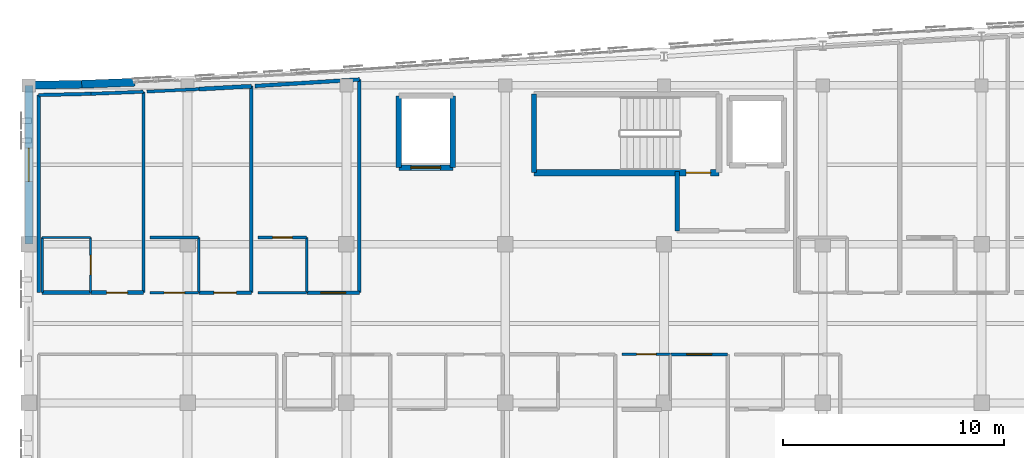
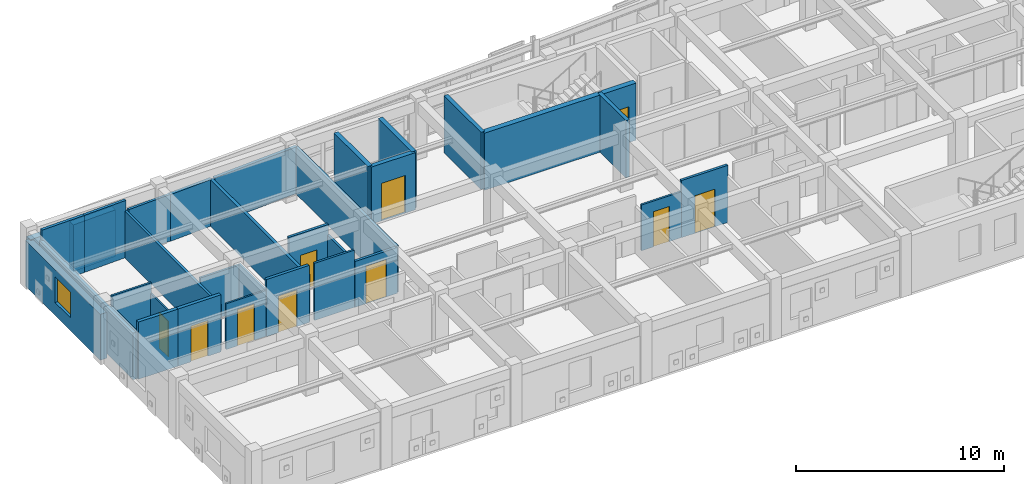
# One storey, part 58 of 73: 33 walls, 10 doors, 1 window, 11 openings.
"""IFC4 building model written with IfcOpenShell, lengths in metres."""

from ifc_helpers import new_model, si_unit, direction, frame, frame_2d, origin, place, context, subcontext, project, spatial, rectangle, extrude, material, layer, layer_set, type_object, element, fill, save


model = new_model("IFC4")

# Units and contexts
model_context = context("Model", 3, precision=1e-05, world=origin(), true_north=direction((0.0, 1.0)))
body_context = subcontext(model_context, "Body", "Model", "MODEL_VIEW")
ifc_project = project(units=[si_unit("LENGTHUNIT", "METRE"), si_unit("AREAUNIT", "SQUARE_METRE"), si_unit("VOLUMEUNIT", "CUBIC_METRE"), si_unit("PLANEANGLEUNIT", "RADIAN"), si_unit("MASSUNIT", "GRAM", prefix="KILO")], contexts=[model_context])

# Site, building, storey
site_placement = place(None, origin())
site = spatial("IfcSite", under=ifc_project, at=site_placement, CompositionType="ELEMENT")
building_placement = place(site_placement, origin())
building = spatial("IfcBuilding", under=site, at=building_placement, Name="Carrowvane Square Congress Hotel", CompositionType="ELEMENT")
storey_placement = place(building_placement, frame((0.0, 0.0, 19.199951171875)))
storey = spatial("IfcBuildingStorey", under=building, at=storey_placement, Name="L04", CompositionType="ELEMENT", Elevation=19.199951171875)

# Wall, opening, window
ifc_material_1 = material(Name="Glazed terracotta rainscreen", Category="masonry")
ifc_layer_1 = layer(ifc_material_1, 0.360107421875)
ifc_layer_set_1 = layer_set([ifc_layer_1], Name="Glazed terracotta rainscreen")
wall_type_1 = type_object("IfcWallType", Name="WL-EXT-TC360", PredefinedType="STANDARD", material=ifc_layer_set_1)
wall_1_placement = place(storey_placement, frame((33.199951171875, 106.199951171875, 0.0), z_axis=(0.0, 0.0, 1.0), x_axis=(0.0, 1.0, 0.0)))
wall_1 = element("IfcWall", 1, at=wall_1_placement, inside=storey, type_object=wall_type_1, Name="L04 exterior facade wall 421", PredefinedType="STANDARD", context=body_context, shape_type="SweptSolid", body=[
    extrude(rectangle(XDim=7.199951171875, YDim=0.360107421875, at=frame_2d((3.60009765625, 0.0))), origin(), (0.0, 0.0, 1.0), 2.68505859375),
])
opening_1_placement = place(wall_1_placement, frame((2.85009765625, 0.0, 0.75)))
opening_1 = element("IfcOpeningElement", 2, at=opening_1_placement, cuts=wall_1, Name="Opening W-15", PredefinedType="OPENING", context=body_context, shape_type="SweptSolid", body=[
    extrude(rectangle(XDim=1.5, YDim=1.5, at=frame_2d((0.75, 0.75))), frame((0.0, 0.18994140625, 0.0), z_axis=(0.0, -1.0, 0.0), x_axis=(1.0, 0.0, 0.0)), (0.0, 0.0, 1.0), 0.380126953125),
])
ifc_material_2 = material(Name="Double-glazed low-E glass", Category="glass")
window_type = type_object("IfcWindowType", Name="WIN-15", PartitioningType="SINGLE_PANEL", PredefinedType="WINDOW", material=ifc_material_2)
window_placement = place(opening_1_placement, origin())
window = element("IfcWindow", 3, at=window_placement, inside=storey, type_object=window_type, Name="L04 facade window 253", OverallHeight=1.5, OverallWidth=1.5, PartitioningType="SINGLE_PANEL", PredefinedType="WINDOW", context=body_context, shape_type="SweptSolid", body=[
    extrude(rectangle(XDim=1.5, YDim=1.5, at=frame_2d((0.75, 0.75))), frame((0.0, 0.030029296875, 0.0), z_axis=(0.0, -1.0, 0.0), x_axis=(1.0, 0.0, 0.0)), (0.0, 0.0, 1.0), 0.06005859375),
])
fill(opening_1, window)

# Walls
wall_2_placement = place(storey_placement, frame((33.199951171875, 113.39990234375, 0.0), z_axis=(0.0, 0.0, 1.0), x_axis=(0.999767568547, 0.021559426766, 0.0)))
element("IfcWall", 4, at=wall_2_placement, inside=storey, type_object=wall_type_1, Name="L04 exterior facade wall 422", PredefinedType="STANDARD", context=body_context, shape_type="SweptSolid", body=[
    extrude(rectangle(XDim=2.400634765625, YDim=0.360107421875, at=frame_2d((1.2001953125, 0.0))), origin(), (0.0, 0.0, 1.0), 2.735107421875),
])
wall_3_placement = place(storey_placement, frame((35.60009765625, 113.45166015625, 0.0), z_axis=(0.0, 0.0, 1.0), x_axis=(0.99930757318, 0.037207179225, 0.0)))
element("IfcWall", 5, at=wall_3_placement, inside=storey, type_object=wall_type_1, Name="L04 exterior facade wall 423", PredefinedType="STANDARD", context=body_context, shape_type="SweptSolid", body=[
    extrude(rectangle(XDim=2.401611328125, YDim=0.360107421875, at=frame_2d((1.20068359375, 0.0))), origin(), (0.0, 0.0, 1.0), 2.735107421875),
])
ifc_material_3 = material(Name="Acoustic gypsum board", Category="gypsum")
ifc_layer_2 = layer(ifc_material_3, 0.155029296875)
ifc_layer_set_2 = layer_set([ifc_layer_2], Name="Acoustic gypsum board")
wall_type_2 = type_object("IfcWallType", Name="WL-FIR-155", PredefinedType="PARTITIONING", material=ifc_layer_set_2)
wall_4_placement = place(storey_placement, frame((33.64990234375, 112.959716796875, 0.0), z_axis=(0.0, 0.0, 1.0), x_axis=(0.999704646558, 0.024302667551, 0.0)))
element("IfcWall", 6, at=wall_4_placement, inside=storey, type_object=wall_type_2, Name="L04 Parkview Guest Bedroom 0407 partition", PredefinedType="PARTITIONING", context=body_context, shape_type="SweptSolid", body=[
    extrude(rectangle(XDim=2.370849609375, YDim=0.155029296875, at=frame_2d((1.185546875, 0.0))), origin(), (0.0, 0.0, 1.0), 3.35009765625),
])

# Wall, opening, door
wall_5_placement = place(storey_placement, frame((43.2900390625, 104.0, 0.0), z_axis=(0.0, 0.0, 1.0), x_axis=(-1.0, 0.0, 0.0)))
wall_5 = element("IfcWall", 7, at=wall_5_placement, inside=storey, type_object=wall_type_2, Name="L04 Parkview Guest Bedroom 0408 partition", PredefinedType="PARTITIONING", context=body_context, shape_type="SweptSolid", body=[
    extrude(rectangle(XDim=2.380126953125, YDim=0.155029296875, at=frame_2d((1.18994140625, 0.0))), origin(), (0.0, 0.0, 1.0), 3.35009765625),
])
opening_2_placement = place(wall_5_placement, frame((0.679931640625, 0.0, 0.0)))
opening_2 = element("IfcOpeningElement", 8, at=opening_2_placement, cuts=wall_5, Name="Opening FD-08", PredefinedType="OPENING", context=body_context, shape_type="SweptSolid", body=[
    extrude(rectangle(XDim=1.02001953125, YDim=2.14990234375, at=frame_2d((0.510009765625, 1.074951171875))), frame((0.0, 0.08740234375, 0.0), z_axis=(0.0, -1.0, 0.0), x_axis=(1.0, 0.0, 0.0)), (0.0, 0.0, 1.0), 0.175048828125),
])
ifc_material_4 = material(Name="European oak timber", Category="wood")
door_type_1 = type_object("IfcDoorType", Name="DR-FD30-1020x2150", OperationType="NOTDEFINED", PredefinedType="DOOR", material=ifc_material_4)
door_1_placement = place(opening_2_placement, origin())
door_1 = element("IfcDoor", 9, at=door_1_placement, inside=storey, type_object=door_type_1, Name="L04 Parkview Guest Bedroom 0408 entrance door", OperationType="SINGLE_SWING_RIGHT", OverallHeight=2.14990234375, OverallWidth=1.02001953125, PredefinedType="DOOR", context=body_context, shape_type="SweptSolid", body=[
    extrude(rectangle(XDim=1.02001953125, YDim=2.14990234375, at=frame_2d((0.510009765625, 1.074951171875))), frame((0.0, 0.02490234375, 0.0), z_axis=(0.0, -1.0, 0.0), x_axis=(1.0, 0.0, 0.0)), (0.0, 0.0, 1.0), 0.050048828125),
])
fill(opening_2, door_1)

# Walls
wall_6_placement = place(storey_placement, frame((48.18994140625, 113.664794921875, 0.0), z_axis=(0.0, 0.0, 1.0), x_axis=(0.0, -1.0, 0.0)))
element("IfcWall", 10, at=wall_6_placement, inside=storey, type_object=wall_type_2, Name="L04 Parkview Guest Bedroom 0409 partition", PredefinedType="PARTITIONING", context=body_context, shape_type="SweptSolid", body=[
    extrude(rectangle(XDim=9.664794921875, YDim=0.155029296875, at=frame_2d((4.83251953125, 0.0))), origin(), (0.0, 0.0, 1.0), 2.735107421875),
])
ifc_material_5 = material(Name="Acoustic gypsum board", Category="gypsum")
ifc_layer_3 = layer(ifc_material_5, 0.169921875)
ifc_layer_set_3 = layer_set([ifc_layer_3], Name="Acoustic gypsum board")
wall_type_3 = type_object("IfcWallType", Name="WL-FIR-170", PredefinedType="PARTITIONING", material=ifc_layer_set_3)
wall_7_placement = place(storey_placement, frame((33.64990234375, 104.0, 0.0), z_axis=(0.0, 0.0, 1.0), x_axis=(0.0, 1.0, 0.0)))
element("IfcWall", 11, at=wall_7_placement, inside=storey, type_object=wall_type_3, Name="L04 Parkview Guest Bedroom 0407 partition", PredefinedType="PARTITIONING", context=body_context, shape_type="SweptSolid", body=[
    extrude(rectangle(XDim=8.959716796875, YDim=0.169921875, at=frame_2d((4.47998046875, 0.0))), origin(), (0.0, 0.0, 1.0), 2.735107421875),
])
wall_8_placement = place(storey_placement, frame((43.2900390625, 113.3603515625, 0.0), z_axis=(0.0, 0.0, 1.0), x_axis=(0.0, -1.0, 0.0)))
element("IfcWall", 12, at=wall_8_placement, inside=storey, type_object=wall_type_3, Name="L04 Parkview Guest Bedroom 0408 partition", PredefinedType="PARTITIONING", context=body_context, shape_type="SweptSolid", body=[
    extrude(rectangle(XDim=9.3603515625, YDim=0.169921875, at=frame_2d((4.68017578125, 0.0))), origin(), (0.0, 0.0, 1.0), 2.735107421875),
])
wall_9_placement = place(storey_placement, frame((43.449951171875, 113.369873046875, 0.0), z_axis=(0.0, 0.0, 1.0), x_axis=(0.998069942066, 0.062099844966, 0.0)))
element("IfcWall", 13, at=wall_9_placement, inside=storey, type_object=wall_type_3, Name="L04 Parkview Guest Bedroom 0409 partition", PredefinedType="PARTITIONING", context=body_context, shape_type="SweptSolid", body=[
    extrude(rectangle(XDim=4.749267578125, YDim=0.169921875, at=frame_2d((2.37451171875, 0.0))), origin(), (0.0, 0.0, 1.0), 2.735107421875),
])
ifc_material_6 = material(Name="Acoustic gypsum board", Category="gypsum")
ifc_layer_4 = layer(ifc_material_6, 0.18505859375)
ifc_layer_set_4 = layer_set([ifc_layer_4], Name="Acoustic gypsum board")
wall_type_4 = type_object("IfcWallType", Name="WL-FIR-185", PredefinedType="PARTITIONING", material=ifc_layer_set_4)
wall_10_placement = place(storey_placement, frame((36.0, 104.0, 0.0), z_axis=(0.0, 0.0, 1.0), x_axis=(-1.0, 0.0, 0.0)))
element("IfcWall", 14, at=wall_10_placement, inside=storey, type_object=wall_type_4, Name="L04 En-suite Bathroom 0407 partition", PredefinedType="PARTITIONING", context=body_context, shape_type="SweptSolid", body=[
    extrude(rectangle(XDim=2.199951171875, YDim=0.18505859375, at=frame_2d((1.10009765625, 0.0))), origin(), (0.0, 0.0, 1.0), 3.35009765625),
])

# Wall, opening, door
wall_11_placement = place(storey_placement, frame((38.389892578125, 104.0, 0.0), z_axis=(0.0, 0.0, 1.0), x_axis=(-1.0, 0.0, 0.0)))
wall_11 = element("IfcWall", 15, at=wall_11_placement, inside=storey, type_object=wall_type_4, Name="L04 Parkview Guest Bedroom 0407 partition", PredefinedType="PARTITIONING", context=body_context, shape_type="SweptSolid", body=[
    extrude(rectangle(XDim=2.3798828125, YDim=0.18505859375, at=frame_2d((1.18994140625, 0.0))), origin(), (0.0, 0.0, 1.0), 3.35009765625),
])
opening_3_placement = place(wall_11_placement, frame((0.715087890625, 0.0, 0.0)))
opening_3 = element("IfcOpeningElement", 16, at=opening_3_placement, cuts=wall_11, Name="Opening FD-06", PredefinedType="OPENING", context=body_context, shape_type="SweptSolid", body=[
    extrude(rectangle(XDim=0.949951171875, YDim=2.10009765625, at=frame_2d((0.47509765625, 1.050048828125))), frame((0.0, 0.1025390625, 0.0), z_axis=(0.0, -1.0, 0.0), x_axis=(1.0, 0.0, 0.0)), (0.0, 0.0, 1.0), 0.205078125),
])
ifc_material_7 = material(Name="European oak timber", Category="wood")
door_type_2 = type_object("IfcDoorType", Name="DR-FD30-0950x2100", OperationType="NOTDEFINED", PredefinedType="DOOR", material=ifc_material_7)
door_2_placement = place(opening_3_placement, origin())
door_2 = element("IfcDoor", 17, at=door_2_placement, inside=storey, type_object=door_type_2, Name="L04 Parkview Guest Bedroom 0407 entrance door", OperationType="SINGLE_SWING_RIGHT", OverallHeight=2.10009765625, OverallWidth=0.949951171875, PredefinedType="DOOR", context=body_context, shape_type="SweptSolid", body=[
    extrude(rectangle(XDim=0.949951171875, YDim=2.10009765625, at=frame_2d((0.47509765625, 1.050048828125))), frame((0.0, 0.02490234375, 0.0), z_axis=(0.0, -1.0, 0.0), x_axis=(1.0, 0.0, 0.0)), (0.0, 0.0, 1.0), 0.050048828125),
])
fill(opening_3, door_2)

# Walls
wall_12_placement = place(storey_placement, frame((40.919921875, 113.230712890625, 0.0), z_axis=(0.0, 0.0, 1.0), x_axis=(0.998507458691, 0.054615519218, 0.0)))
element("IfcWall", 18, at=wall_12_placement, inside=storey, type_object=wall_type_4, Name="L04 Parkview Guest Bedroom 0408 partition", PredefinedType="PARTITIONING", context=body_context, shape_type="SweptSolid", body=[
    extrude(rectangle(XDim=2.373779296875, YDim=0.18505859375, at=frame_2d((1.18701171875, 0.0))), origin(), (0.0, 0.0, 1.0), 2.735107421875),
])
ifc_material_8 = material(Name="Acoustic gypsum board", Category="gypsum")
ifc_layer_5 = layer(ifc_material_8, 0.205078125)
ifc_layer_set_5 = layer_set([ifc_layer_5], Name="Acoustic gypsum board")
wall_type_5 = type_object("IfcWallType", Name="WL-FIR-205", PredefinedType="PARTITIONING", material=ifc_layer_set_5)
wall_13_placement = place(storey_placement, frame((62.60009765625, 109.5, 0.0), z_axis=(0.0, 0.0, 1.0), x_axis=(0.0, -1.0, 0.0)))
element("IfcWall", 19, at=wall_13_placement, inside=storey, type_object=wall_type_5, Name="L04 Firefighting Lobby C1 wall west", PredefinedType="PARTITIONING", context=body_context, shape_type="SweptSolid", body=[
    extrude(rectangle(XDim=2.699951171875, YDim=0.205078125, at=frame_2d((1.35009765625, 0.0))), origin(), (0.0, 0.0, 1.0), 3.35009765625),
])

# Wall, opening, door
ifc_material_9 = material(Name="Acoustic gypsum board", Category="gypsum")
ifc_layer_6 = layer(ifc_material_9, 0.097900390625)
ifc_layer_set_6 = layer_set([ifc_layer_6], Name="Acoustic gypsum board")
wall_type_6 = type_object("IfcWallType", Name="WL-PRT-098", PredefinedType="PARTITIONING", material=ifc_layer_set_6)
wall_14_placement = place(storey_placement, frame((36.0, 106.5, 0.0), z_axis=(0.0, 0.0, 1.0), x_axis=(0.0, -1.0, 0.0)))
wall_14 = element("IfcWall", 20, at=wall_14_placement, inside=storey, type_object=wall_type_6, Name="L04 En-suite Bathroom 0407 partition", PredefinedType="PARTITIONING", context=body_context, shape_type="SweptSolid", body=[
    extrude(rectangle(XDim=2.5, YDim=0.097900390625, at=frame_2d((1.25, 0.0))), origin(), (0.0, 0.0, 1.0), 2.735107421875),
])
opening_4_placement = place(wall_14_placement, frame((0.804931640625, 0.0, 0.0)))
opening_4 = element("IfcOpeningElement", 21, at=opening_4_placement, cuts=wall_14, Name="Opening ID-16", PredefinedType="OPENING", context=body_context, shape_type="SweptSolid", body=[
    extrude(rectangle(XDim=0.889892578125, YDim=2.090087890625, at=frame_2d((0.44482421875, 1.044921875))), frame((0.0, 0.058837890625, 0.0), z_axis=(0.0, -1.0, 0.0), x_axis=(1.0, 0.0, 0.0)), (0.0, 0.0, 1.0), 0.117919921875),
])
ifc_material_10 = material(Name="European oak timber", Category="wood")
door_type_3 = type_object("IfcDoorType", Name="DR-INT-0890x2090", OperationType="NOTDEFINED", PredefinedType="DOOR", material=ifc_material_10)
door_3_placement = place(opening_4_placement, origin())
door_3 = element("IfcDoor", 22, at=door_3_placement, inside=storey, type_object=door_type_3, Name="L04 En-suite Bathroom 0407 door", OperationType="SINGLE_SWING_LEFT", OverallHeight=2.090087890625, OverallWidth=0.889892578125, PredefinedType="DOOR", context=body_context, shape_type="SweptSolid", body=[
    extrude(rectangle(XDim=0.889892578125, YDim=2.090087890625, at=frame_2d((0.44482421875, 1.044921875))), frame((0.0, 0.02490234375, 0.0), z_axis=(0.0, -1.0, 0.0), x_axis=(1.0, 0.0, 0.0)), (0.0, 0.0, 1.0), 0.050048828125),
])
fill(opening_4, door_3)

wall_15_placement = place(storey_placement, frame((40.89990234375, 104.0, 0.0), z_axis=(0.0, 0.0, 1.0), x_axis=(-1.0, 0.0, 0.0)))
wall_15 = element("IfcWall", 23, at=wall_15_placement, inside=storey, type_object=wall_type_6, Name="L04 En-suite Bathroom 0408 partition", PredefinedType="PARTITIONING", context=body_context, shape_type="SweptSolid", body=[
    extrude(rectangle(XDim=2.199951171875, YDim=0.097900390625, at=frame_2d((1.10009765625, 0.0))), origin(), (0.0, 0.0, 1.0), 2.68505859375),
])
opening_5_placement = place(wall_15_placement, frame((0.635009765625, 0.0, 0.0)))
opening_5 = element("IfcOpeningElement", 24, at=opening_5_placement, cuts=wall_15, Name="Opening ID-18", PredefinedType="OPENING", context=body_context, shape_type="SweptSolid", body=[
    extrude(rectangle(XDim=0.929931640625, YDim=2.1298828125, at=frame_2d((0.46484375, 1.06494140625))), frame((0.0, 0.058837890625, 0.0), z_axis=(0.0, -1.0, 0.0), x_axis=(1.0, 0.0, 0.0)), (0.0, 0.0, 1.0), 0.117919921875),
])
ifc_material_11 = material(Name="European oak timber", Category="wood")
door_type_4 = type_object("IfcDoorType", Name="DR-INT-0930x2130", OperationType="NOTDEFINED", PredefinedType="DOOR", material=ifc_material_11)
door_4_placement = place(opening_5_placement, origin())
door_4 = element("IfcDoor", 25, at=door_4_placement, inside=storey, type_object=door_type_4, Name="L04 En-suite Bathroom 0408 door", OperationType="SINGLE_SWING_LEFT", OverallHeight=2.1298828125, OverallWidth=0.929931640625, PredefinedType="DOOR", context=body_context, shape_type="SweptSolid", body=[
    extrude(rectangle(XDim=0.929931640625, YDim=2.1298828125, at=frame_2d((0.46484375, 1.06494140625))), frame((0.0, 0.02490234375, 0.0), z_axis=(0.0, -1.0, 0.0), x_axis=(1.0, 0.0, 0.0)), (0.0, 0.0, 1.0), 0.050048828125),
])
fill(opening_5, door_4)

ifc_material_12 = material(Name="Acoustic gypsum board", Category="gypsum")
ifc_layer_7 = layer(ifc_material_12, 0.10791015625)
ifc_layer_set_7 = layer_set([ifc_layer_7], Name="Acoustic gypsum board")
wall_type_7 = type_object("IfcWallType", Name="WL-PRT-108", PredefinedType="PARTITIONING", material=ifc_layer_set_7)
wall_16_placement = place(storey_placement, frame((60.10009765625, 101.199951171875, 0.0), z_axis=(0.0, 0.0, 1.0), x_axis=(1.0, 0.0, 0.0)))
wall_16 = element("IfcWall", 26, at=wall_16_placement, inside=storey, type_object=wall_type_7, Name="L04 En-suite Bathroom 0404 partition", PredefinedType="PARTITIONING", context=body_context, shape_type="SweptSolid", body=[
    extrude(rectangle(XDim=2.199951171875, YDim=0.10791015625, at=frame_2d((1.10009765625, 0.0))), origin(), (0.0, 0.0, 1.0), 2.68505859375),
])
opening_6_placement = place(wall_16_placement, frame((0.659912109375, 0.0, 0.0)))
opening_6 = element("IfcOpeningElement", 27, at=opening_6_placement, cuts=wall_16, Name="Opening ID-01", PredefinedType="OPENING", context=body_context, shape_type="SweptSolid", body=[
    extrude(rectangle(XDim=0.8798828125, YDim=2.06005859375, at=frame_2d((0.43994140625, 1.030029296875))), frame((0.0, 0.06396484375, 0.0), z_axis=(0.0, -1.0, 0.0), x_axis=(1.0, 0.0, 0.0)), (0.0, 0.0, 1.0), 0.1279296875),
])
ifc_material_13 = material(Name="European oak timber", Category="wood")
door_type_5 = type_object("IfcDoorType", Name="DR-INT-0880x2060", OperationType="NOTDEFINED", PredefinedType="DOOR", material=ifc_material_13)
door_5_placement = place(opening_6_placement, origin())
door_5 = element("IfcDoor", 28, at=door_5_placement, inside=storey, type_object=door_type_5, Name="L04 En-suite Bathroom 0404 door", OperationType="SINGLE_SWING_LEFT", OverallHeight=2.06005859375, OverallWidth=0.8798828125, PredefinedType="DOOR", context=body_context, shape_type="SweptSolid", body=[
    extrude(rectangle(XDim=0.8798828125, YDim=2.06005859375, at=frame_2d((0.43994140625, 1.030029296875))), frame((0.0, 0.02490234375, 0.0), z_axis=(0.0, -1.0, 0.0), x_axis=(1.0, 0.0, 0.0)), (0.0, 0.0, 1.0), 0.050048828125),
])
fill(opening_6, door_5)

# Walls
wall_17_placement = place(storey_placement, frame((33.800048828125, 106.5, 0.0), z_axis=(0.0, 0.0, 1.0), x_axis=(1.0, 0.0, 0.0)))
element("IfcWall", 29, at=wall_17_placement, inside=storey, type_object=wall_type_7, Name="L04 En-suite Bathroom 0407 partition", PredefinedType="PARTITIONING", context=body_context, shape_type="SweptSolid", body=[
    extrude(rectangle(XDim=2.199951171875, YDim=0.10791015625, at=frame_2d((1.10009765625, 0.0))), origin(), (0.0, 0.0, 1.0), 3.35009765625),
])
wall_18_placement = place(storey_placement, frame((40.89990234375, 106.5, 0.0), z_axis=(0.0, 0.0, 1.0), x_axis=(0.0, -1.0, 0.0)))
element("IfcWall", 30, at=wall_18_placement, inside=storey, type_object=wall_type_7, Name="L04 En-suite Bathroom 0408 partition", PredefinedType="PARTITIONING", context=body_context, shape_type="SweptSolid", body=[
    extrude(rectangle(XDim=2.5, YDim=0.10791015625, at=frame_2d((1.25, 0.0))), origin(), (0.0, 0.0, 1.0), 2.735107421875),
])
ifc_material_14 = material(Name="Acoustic gypsum board", Category="gypsum")
ifc_layer_8 = layer(ifc_material_14, 0.117919921875)
ifc_layer_set_8 = layer_set([ifc_layer_8], Name="Acoustic gypsum board")
wall_type_8 = type_object("IfcWallType", Name="WL-PRT-118", PredefinedType="PARTITIONING", material=ifc_layer_set_8)
wall_19_placement = place(storey_placement, frame((33.800048828125, 104.0, 0.0), z_axis=(0.0, 0.0, 1.0), x_axis=(0.0, 1.0, 0.0)))
element("IfcWall", 31, at=wall_19_placement, inside=storey, type_object=wall_type_8, Name="L04 En-suite Bathroom 0407 partition", PredefinedType="PARTITIONING", context=body_context, shape_type="SweptSolid", body=[
    extrude(rectangle(XDim=2.5, YDim=0.117919921875, at=frame_2d((1.25, 0.0))), origin(), (0.0, 0.0, 1.0), 2.735107421875),
])
wall_20_placement = place(storey_placement, frame((38.699951171875, 106.5, 0.0), z_axis=(0.0, 0.0, 1.0), x_axis=(1.0, 0.0, 0.0)))
element("IfcWall", 32, at=wall_20_placement, inside=storey, type_object=wall_type_8, Name="L04 En-suite Bathroom 0408 partition", PredefinedType="PARTITIONING", context=body_context, shape_type="SweptSolid", body=[
    extrude(rectangle(XDim=2.199951171875, YDim=0.117919921875, at=frame_2d((1.10009765625, 0.0))), origin(), (0.0, 0.0, 1.0), 2.68505859375),
])
wall_21_placement = place(storey_placement, frame((45.800048828125, 104.0, 0.0), z_axis=(0.0, 0.0, 1.0), x_axis=(-1.0, 0.0, 0.0)))
element("IfcWall", 33, at=wall_21_placement, inside=storey, type_object=wall_type_8, Name="L04 En-suite Bathroom 0409 partition", PredefinedType="PARTITIONING", context=body_context, shape_type="SweptSolid", body=[
    extrude(rectangle(XDim=2.199951171875, YDim=0.117919921875, at=frame_2d((1.10009765625, 0.0))), origin(), (0.0, 0.0, 1.0), 3.35009765625),
])
ifc_material_15 = material(Name="Acoustic gypsum board", Category="gypsum")
ifc_layer_9 = layer(ifc_material_15, 0.1279296875)
ifc_layer_set_9 = layer_set([ifc_layer_9], Name="Acoustic gypsum board")
wall_type_9 = type_object("IfcWallType", Name="WL-PRT-128", PredefinedType="PARTITIONING", material=ifc_layer_set_9)
wall_22_placement = place(storey_placement, frame((45.800048828125, 106.5, 0.0), z_axis=(0.0, 0.0, 1.0), x_axis=(0.0, -1.0, 0.0)))
element("IfcWall", 34, at=wall_22_placement, inside=storey, type_object=wall_type_9, Name="L04 En-suite Bathroom 0409 partition", PredefinedType="PARTITIONING", context=body_context, shape_type="SweptSolid", body=[
    extrude(rectangle(XDim=2.5, YDim=0.1279296875, at=frame_2d((1.25, 0.0))), origin(), (0.0, 0.0, 1.0), 2.735107421875),
])

# Wall, opening, door
ifc_material_16 = material(Name="Acoustic gypsum board", Category="gypsum")
ifc_layer_10 = layer(ifc_material_16, 0.137939453125)
ifc_layer_set_10 = layer_set([ifc_layer_10], Name="Acoustic gypsum board")
wall_type_10 = type_object("IfcWallType", Name="WL-PRT-138", PredefinedType="PARTITIONING", material=ifc_layer_set_10)
wall_23_placement = place(storey_placement, frame((62.31005859375, 101.199951171875, 0.0), z_axis=(0.0, 0.0, 1.0), x_axis=(1.0, 0.0, 0.0)))
wall_23 = element("IfcWall", 35, at=wall_23_placement, inside=storey, type_object=wall_type_10, Name="L04 Hotel Guest Bedroom 0404 partition", PredefinedType="PARTITIONING", context=body_context, shape_type="SweptSolid", body=[
    extrude(rectangle(XDim=2.579833984375, YDim=0.137939453125, at=frame_2d((1.2900390625, 0.0))), origin(), (0.0, 0.0, 1.0), 3.35009765625),
])
opening_7_placement = place(wall_23_placement, frame((0.72998046875, 0.0, 0.0)))
opening_7 = element("IfcOpeningElement", 36, at=opening_7_placement, cuts=wall_23, Name="Opening FD-10", PredefinedType="OPENING", context=body_context, shape_type="SweptSolid", body=[
    extrude(rectangle(XDim=1.1201171875, YDim=2.199951171875, at=frame_2d((0.56005859375, 1.10009765625))), frame((0.0, 0.078857421875, 0.0), z_axis=(0.0, -1.0, 0.0), x_axis=(1.0, 0.0, 0.0)), (0.0, 0.0, 1.0), 0.157958984375),
])
ifc_material_17 = material(Name="European oak timber", Category="wood")
door_type_6 = type_object("IfcDoorType", Name="DR-FD30-1120x2200", OperationType="NOTDEFINED", PredefinedType="DOOR", material=ifc_material_17)
door_6_placement = place(opening_7_placement, origin())
door_6 = element("IfcDoor", 37, at=door_6_placement, inside=storey, type_object=door_type_6, Name="L04 Hotel Guest Bedroom 0404 entrance door", OperationType="SINGLE_SWING_RIGHT", OverallHeight=2.199951171875, OverallWidth=1.1201171875, PredefinedType="DOOR", context=body_context, shape_type="SweptSolid", body=[
    extrude(rectangle(XDim=1.1201171875, YDim=2.199951171875, at=frame_2d((0.56005859375, 1.10009765625))), frame((0.0, 0.02490234375, 0.0), z_axis=(0.0, -1.0, 0.0), x_axis=(1.0, 0.0, 0.0)), (0.0, 0.0, 1.0), 0.050048828125),
])
fill(opening_7, door_6)

# Walls
wall_24_placement = place(storey_placement, frame((38.389892578125, 113.109130859375, 0.0), z_axis=(0.0, 0.0, 1.0), x_axis=(0.0, -1.0, 0.0)))
element("IfcWall", 38, at=wall_24_placement, inside=storey, type_object=wall_type_10, Name="L04 Parkview Guest Bedroom 0407 partition", PredefinedType="PARTITIONING", context=body_context, shape_type="SweptSolid", body=[
    extrude(rectangle(XDim=9.109130859375, YDim=0.137939453125, at=frame_2d((4.5546875, 0.0))), origin(), (0.0, 0.0, 1.0), 2.735107421875),
])
wall_25_placement = place(storey_placement, frame((38.550048828125, 113.11669921875, 0.0), z_axis=(0.0, 0.0, 1.0), x_axis=(0.99884473767, 0.048054032398, 0.0)))
element("IfcWall", 39, at=wall_25_placement, inside=storey, type_object=wall_type_10, Name="L04 Parkview Guest Bedroom 0408 partition", PredefinedType="PARTITIONING", context=body_context, shape_type="SweptSolid", body=[
    extrude(rectangle(XDim=2.37255859375, YDim=0.137939453125, at=frame_2d((1.186279296875, 0.0))), origin(), (0.0, 0.0, 1.0), 2.735107421875),
])

# Wall, opening, door
wall_26_placement = place(storey_placement, frame((43.60009765625, 106.5, 0.0), z_axis=(0.0, 0.0, 1.0), x_axis=(1.0, 0.0, 0.0)))
wall_26 = element("IfcWall", 40, at=wall_26_placement, inside=storey, type_object=wall_type_10, Name="L04 En-suite Bathroom 0409 partition", PredefinedType="PARTITIONING", context=body_context, shape_type="SweptSolid", body=[
    extrude(rectangle(XDim=2.199951171875, YDim=0.137939453125, at=frame_2d((1.10009765625, 0.0))), origin(), (0.0, 0.0, 1.0), 3.35009765625),
])
opening_8_placement = place(wall_26_placement, frame((0.64990234375, 0.0, 0.0)))
opening_8 = element("IfcOpeningElement", 41, at=opening_8_placement, cuts=wall_26, Name="Opening ID-02", PredefinedType="OPENING", context=body_context, shape_type="SweptSolid", body=[
    extrude(rectangle(XDim=0.89990234375, YDim=2.080078125, at=frame_2d((0.449951171875, 1.0400390625))), frame((0.0, 0.078857421875, 0.0), z_axis=(0.0, -1.0, 0.0), x_axis=(1.0, 0.0, 0.0)), (0.0, 0.0, 1.0), 0.157958984375),
])
ifc_material_18 = material(Name="European oak timber", Category="wood")
door_type_7 = type_object("IfcDoorType", Name="DR-INT-0900x2080", OperationType="NOTDEFINED", PredefinedType="DOOR", material=ifc_material_18)
door_7_placement = place(opening_8_placement, origin())
door_7 = element("IfcDoor", 42, at=door_7_placement, inside=storey, type_object=door_type_7, Name="L04 En-suite Bathroom 0409 door", OperationType="SINGLE_SWING_LEFT", OverallHeight=2.080078125, OverallWidth=0.89990234375, PredefinedType="DOOR", context=body_context, shape_type="SweptSolid", body=[
    extrude(rectangle(XDim=0.89990234375, YDim=2.080078125, at=frame_2d((0.449951171875, 1.0400390625))), frame((0.0, 0.02490234375, 0.0), z_axis=(0.0, -1.0, 0.0), x_axis=(1.0, 0.0, 0.0)), (0.0, 0.0, 1.0), 0.050048828125),
])
fill(opening_8, door_7)

# Wall
ifc_material_19 = material(Name="Acoustic gypsum board", Category="gypsum")
ifc_layer_11 = layer(ifc_material_19, 0.14794921875)
ifc_layer_set_11 = layer_set([ifc_layer_11], Name="Acoustic gypsum board")
wall_type_11 = type_object("IfcWallType", Name="WL-PRT-148", PredefinedType="PARTITIONING", material=ifc_layer_set_11)
wall_27_placement = place(storey_placement, frame((36.02001953125, 113.017333984375, 0.0), z_axis=(0.0, 0.0, 1.0), x_axis=(0.999250645602, 0.03870590736, 0.0)))
element("IfcWall", 43, at=wall_27_placement, inside=storey, type_object=wall_type_11, Name="L04 Parkview Guest Bedroom 0407 partition", PredefinedType="PARTITIONING", context=body_context, shape_type="SweptSolid", body=[
    extrude(rectangle(XDim=2.37158203125, YDim=0.14794921875, at=frame_2d((1.185791015625, 0.0))), origin(), (0.0, 0.0, 1.0), 3.35009765625),
])

# Wall, opening, door
wall_28_placement = place(storey_placement, frame((48.18994140625, 104.0, 0.0), z_axis=(0.0, 0.0, 1.0), x_axis=(-1.0, 0.0, 0.0)))
wall_28 = element("IfcWall", 44, at=wall_28_placement, inside=storey, type_object=wall_type_11, Name="L04 Parkview Guest Bedroom 0409 partition", PredefinedType="PARTITIONING", context=body_context, shape_type="SweptSolid", body=[
    extrude(rectangle(XDim=2.3798828125, YDim=0.14794921875, at=frame_2d((1.18994140625, 0.0))), origin(), (0.0, 0.0, 1.0), 2.68505859375),
])
opening_9_placement = place(wall_28_placement, frame((0.6298828125, 0.0, 0.0)))
opening_9 = element("IfcOpeningElement", 45, at=opening_9_placement, cuts=wall_28, Name="Opening FD-10", PredefinedType="OPENING", context=body_context, shape_type="SweptSolid", body=[
    extrude(rectangle(XDim=1.1201171875, YDim=2.199951171875, at=frame_2d((0.56005859375, 1.10009765625))), frame((0.0, 0.083984375, 0.0), z_axis=(0.0, -1.0, 0.0), x_axis=(1.0, 0.0, 0.0)), (0.0, 0.0, 1.0), 0.16796875),
])
door_8_placement = place(opening_9_placement, origin())
door_8 = element("IfcDoor", 46, at=door_8_placement, inside=storey, type_object=door_type_6, Name="L04 Parkview Guest Bedroom 0409 entrance door", OperationType="SINGLE_SWING_RIGHT", OverallHeight=2.199951171875, OverallWidth=1.1201171875, PredefinedType="DOOR", context=body_context, shape_type="SweptSolid", body=[
    extrude(rectangle(XDim=1.1201171875, YDim=2.199951171875, at=frame_2d((0.56005859375, 1.10009765625))), frame((0.0, 0.02490234375, 0.0), z_axis=(0.0, -1.0, 0.0), x_axis=(1.0, 0.0, 0.0)), (0.0, 0.0, 1.0), 0.050048828125),
])
fill(opening_9, door_8)

# Wall
ifc_material_20 = material(Name="Concrete C40/50", Category="concrete")
ifc_layer_12 = layer(ifc_material_20, 0.22509765625)
ifc_layer_set_12 = layer_set([ifc_layer_12], Name="Concrete C40/50")
wall_type_12 = type_object("IfcWallType", Name="WL-SHR-225", PredefinedType="SHEAR", material=ifc_layer_set_12)
wall_29_placement = place(storey_placement, frame((56.10009765625, 113.0, 0.0), z_axis=(0.0, 0.0, 1.0), x_axis=(0.0, -1.0, 0.0)))
element("IfcWall", 47, at=wall_29_placement, inside=storey, type_object=wall_type_12, Name="L04 ST1 core wall west", PredefinedType="SHEAR", context=body_context, shape_type="SweptSolid", body=[
    extrude(rectangle(XDim=3.56005859375, YDim=0.22509765625, at=frame_2d((1.780029296875, 0.0))), origin(), (0.0, 0.0, 1.0), 3.35009765625),
])

# Wall, opening, door
ifc_material_21 = material(Name="Concrete C40/50", Category="concrete")
ifc_layer_13 = layer(ifc_material_21, 0.25)
ifc_layer_set_13 = layer_set([ifc_layer_13], Name="Concrete C40/50")
wall_type_13 = type_object("IfcWallType", Name="WL-SHR-250", PredefinedType="SHEAR", material=ifc_layer_set_13)
wall_30_placement = place(storey_placement, frame((49.97509765625, 109.675048828125, 0.0), z_axis=(0.0, 0.0, 1.0), x_axis=(1.0, 0.0, 0.0)))
wall_30 = element("IfcWall", 48, at=wall_30_placement, inside=storey, type_object=wall_type_13, Name="L04 SL-1 shaft wall south", PredefinedType="SHEAR", context=body_context, shape_type="SweptSolid", body=[
    extrude(rectangle(XDim=2.449951171875, YDim=0.25, at=frame_2d((1.22509765625, 0.0))), origin(), (0.0, 0.0, 1.0), 3.35009765625),
])
opening_10_placement = place(wall_30_placement, frame((0.550048828125, 0.0, 0.0)))
opening_10 = element("IfcOpeningElement", 49, at=opening_10_placement, cuts=wall_30, Name="Opening LD-SL-1", PredefinedType="OPENING", context=body_context, shape_type="SweptSolid", body=[
    extrude(rectangle(XDim=1.35009765625, YDim=2.199951171875, at=frame_2d((0.675048828125, 1.10009765625))), frame((0.0, 0.135009765625, 0.0), z_axis=(0.0, -1.0, 0.0), x_axis=(1.0, 0.0, 0.0)), (0.0, 0.0, 1.0), 0.27001953125),
])
ifc_material_22 = material(Name="Stainless steel 316", Category="steel")
door_type_8 = type_object("IfcDoorType", Name="DR-LD-1350x2200", OperationType="DOUBLE_DOOR_SLIDING", PredefinedType="DOOR", material=ifc_material_22)
door_9_placement = place(opening_10_placement, origin())
door_9 = element("IfcDoor", 50, at=door_9_placement, inside=storey, type_object=door_type_8, Name="L04 SL-1 sliding lift landing door", OperationType="DOUBLE_DOOR_SLIDING", OverallHeight=2.199951171875, OverallWidth=1.35009765625, PredefinedType="DOOR", context=body_context, shape_type="SweptSolid", body=[
    extrude(rectangle(XDim=1.35009765625, YDim=2.199951171875, at=frame_2d((0.675048828125, 1.10009765625))), frame((0.0, 0.02490234375, 0.0), z_axis=(0.0, -1.0, 0.0), x_axis=(1.0, 0.0, 0.0)), (0.0, 0.0, 1.0), 0.050048828125),
])
fill(opening_10, door_9)

# Walls
for number, where, z_axis, x_axis, name in (
    (51, (52.425048828125, 109.675048828125, 0.0), (0.0, 0.0, 1.0), (0.0, 1.0, 0.0), "L04 SL-1 shaft wall east"),
    (52, (49.97509765625, 112.925048828125, 0.0), (0.0, 0.0, 1.0), (0.0, -1.0, 0.0), "L04 SL-1 shaft wall west"),
):
    element("IfcWall", number, at=place(storey_placement, frame(where, z_axis=z_axis, x_axis=x_axis)), inside=storey, type_object=wall_type_13, Name=name, PredefinedType="SHEAR", context=body_context, shape_type="SweptSolid", body=[
        extrude(rectangle(XDim=3.25, YDim=0.25, at=frame_2d((1.625, 0.0))), origin(), (0.0, 0.0, 1.0), 3.35009765625),
    ])

# Wall, opening, door
ifc_material_23 = material(Name="Concrete C40/50", Category="concrete")
ifc_layer_14 = layer(ifc_material_23, 0.300048828125)
ifc_layer_set_14 = layer_set([ifc_layer_14], Name="Concrete C40/50")
wall_type_14 = type_object("IfcWallType", Name="WL-SHR-300", PredefinedType="SHEAR", material=ifc_layer_set_14)
wall_31_placement = place(storey_placement, frame((56.10009765625, 109.43994140625, 0.0), z_axis=(0.0, 0.0, 1.0), x_axis=(1.0, 0.0, 0.0)))
wall_31 = element("IfcWall", 53, at=wall_31_placement, inside=storey, type_object=wall_type_14, Name="L04 ST1 core wall south", PredefinedType="SHEAR", context=body_context, shape_type="SweptSolid", body=[
    extrude(rectangle(XDim=8.39990234375, YDim=0.300048828125, at=frame_2d((4.199951171875, 0.0))), origin(), (0.0, 0.0, 1.0), 3.35009765625),
])
opening_11_placement = place(wall_31_placement, frame((6.909912109375, 0.0, 0.0)))
opening_11 = element("IfcOpeningElement", 54, at=opening_11_placement, cuts=wall_31, Name="Opening FD-01", PredefinedType="OPENING", context=body_context, shape_type="SweptSolid", body=[
    extrude(rectangle(XDim=1.10009765625, YDim=2.10009765625, at=frame_2d((0.550048828125, 1.050048828125))), frame((0.0, 0.159912109375, 0.0), z_axis=(0.0, -1.0, 0.0), x_axis=(1.0, 0.0, 0.0)), (0.0, 0.0, 1.0), 0.320068359375),
])
ifc_material_24 = material(Name="European oak timber", Category="wood")
door_type_9 = type_object("IfcDoorType", Name="DR-FD60-1100x2100", OperationType="NOTDEFINED", PredefinedType="DOOR", material=ifc_material_24)
door_10_placement = place(opening_11_placement, origin())
door_10 = element("IfcDoor", 55, at=door_10_placement, inside=storey, type_object=door_type_9, Name="L04 ST1 fire door", OperationType="SINGLE_SWING_RIGHT", OverallHeight=2.10009765625, OverallWidth=1.10009765625, PredefinedType="DOOR", context=body_context, shape_type="SweptSolid", body=[
    extrude(rectangle(XDim=1.10009765625, YDim=2.10009765625, at=frame_2d((0.550048828125, 1.050048828125))), frame((0.0, 0.02490234375, 0.0), z_axis=(0.0, -1.0, 0.0), x_axis=(1.0, 0.0, 0.0)), (0.0, 0.0, 1.0), 0.050048828125),
])
fill(opening_11, door_10)

save(model, "model.ifc")
